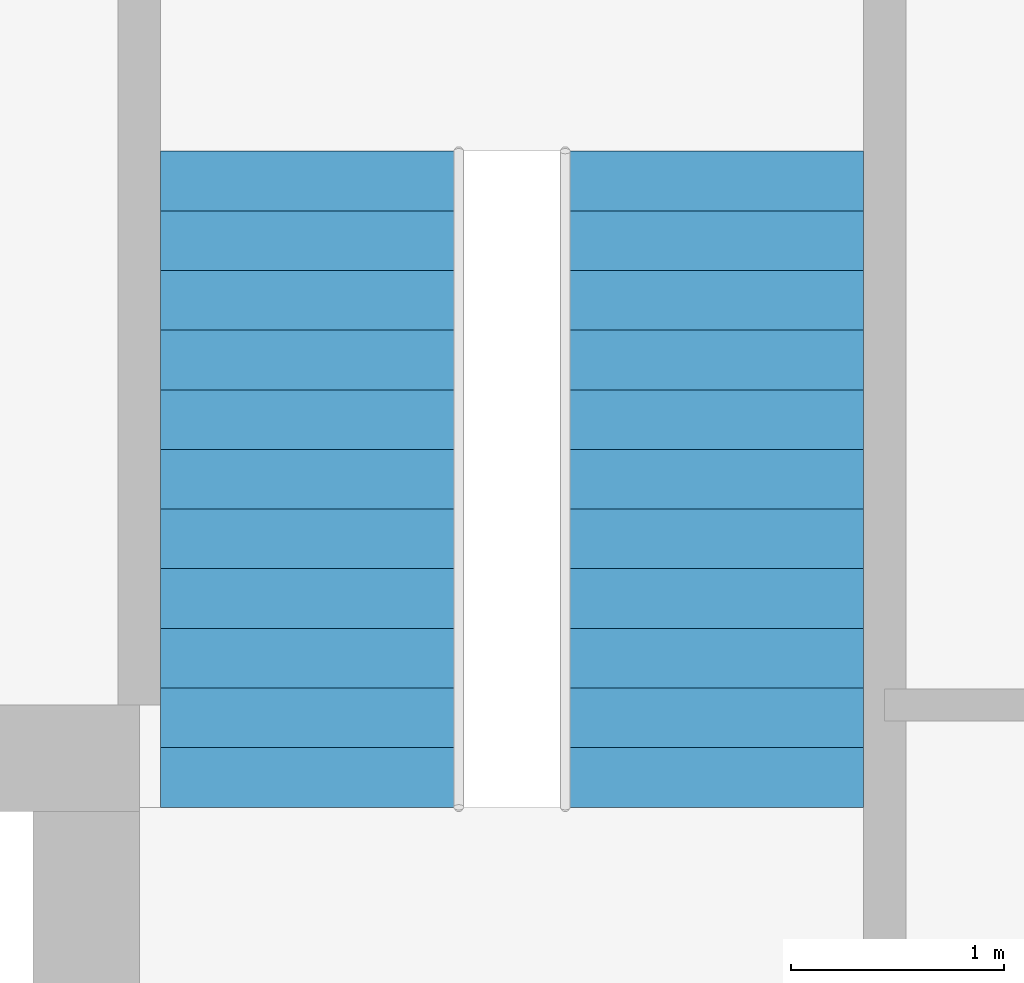
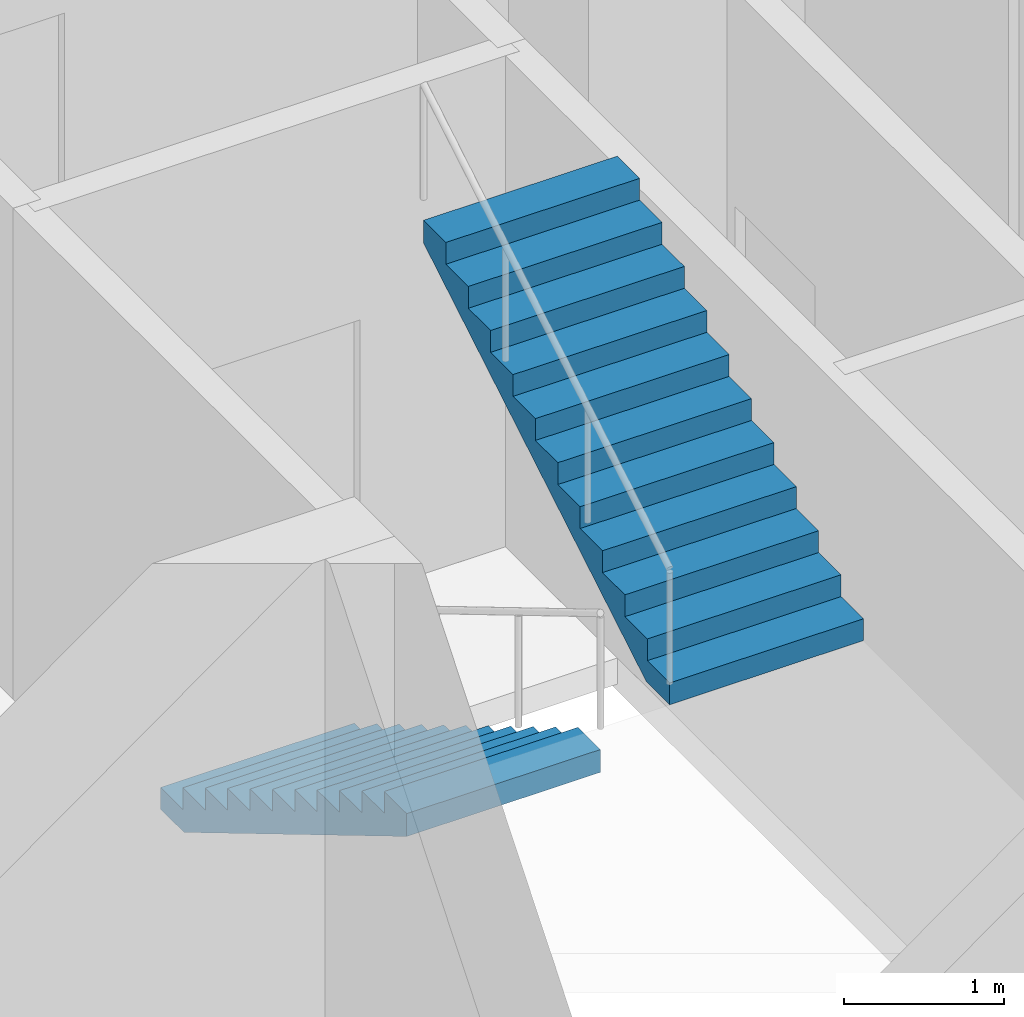
# One storey, part 16 of 21: 2 stair flights, 1 element without a shape of its own.
"""IFC4 building model written with IfcOpenShell, lengths in metres."""

from ifc_helpers import new_model, si_unit, direction, frame, origin, place, context, subcontext, project, spatial, polyline, outline, extrude, material, type_object, element, aggregate, save


model = new_model("IFC4")

# Units and contexts
model_context = context("Model", 3, precision=1e-05, world=origin(), true_north=direction((0.0, 1.0)))
body_context = subcontext(model_context, "Body", "Model", "MODEL_VIEW")
ifc_project = project(units=[si_unit("LENGTHUNIT", "METRE"), si_unit("AREAUNIT", "SQUARE_METRE"), si_unit("VOLUMEUNIT", "CUBIC_METRE"), si_unit("PLANEANGLEUNIT", "RADIAN"), si_unit("MASSUNIT", "GRAM", prefix="KILO")], contexts=[model_context])

# Site, building, storey
site_placement = place(None, origin())
site = spatial("IfcSite", under=ifc_project, at=site_placement, CompositionType="ELEMENT")
building_placement = place(site_placement, origin())
building = spatial("IfcBuilding", under=site, at=building_placement, Name="Malebo Sky Hospital", CompositionType="ELEMENT")
storey_placement = place(building_placement, frame((0.0, 0.0, 140.0)))
storey = spatial("IfcBuildingStorey", under=building, at=storey_placement, Name="L33", CompositionType="ELEMENT", Elevation=140.0)

# Stair, stair flights
ifc_material = material(Name="Concrete C40/50", Category="concrete")
stair_type = type_object("IfcStairType", Name="HALF-TURN STAIR 1400 R167", PredefinedType="HALF_TURN_STAIR", material=ifc_material)
stair_placement = place(storey_placement, origin())
stair = element("IfcStair", 1, at=stair_placement, inside=storey, type_object=stair_type, Name="Stair S3 L33 type ST1B", PredefinedType="HALF_TURN_STAIR")
stair_flight_type = type_object("IfcStairFlightType", Name="STAIR FLIGHT 1400 R167", PredefinedType="STRAIGHT", material=ifc_material)
stair_flight_1_placement = place(storey_placement, frame((69.800048828125, 73.60009765625, 0.0), z_axis=(0.0, 0.0, 1.0), x_axis=(0.0, -1.0, 0.0)))
stair_flight_1 = element("IfcStairFlight", 2, at=stair_flight_1_placement, type_object=stair_flight_type, Name="S3 flight 1 type SF1B", NumberOfRisers=12, NumberOfTreads=11, PredefinedType="STRAIGHT", RiserHeight=0.166666667, TreadLength=0.28, context=body_context, shape_type="SweptSolid", body=[
    extrude(outline(polyline([(0.0, 0.0), (0.0, 0.166748046875), (0.280029296875, 0.166748046875), (0.280029296875, 0.333251953125), (0.56005859375, 0.333251953125), (0.56005859375, 0.5), (0.840087890625, 0.5), (0.840087890625, 0.666748046875), (1.1201171875, 0.666748046875), (1.1201171875, 0.833251953125), (1.39990234375, 0.833251953125), (1.39990234375, 1.0), (1.679931640625, 1.0), (1.679931640625, 1.166748046875), (1.9599609375, 1.166748046875), (1.9599609375, 1.333251953125), (2.239990234375, 1.333251953125), (2.239990234375, 1.5), (2.52001953125, 1.5), (2.52001953125, 1.666748046875), (2.800048828125, 1.666748046875), (2.800048828125, 1.833251953125), (3.080078125, 1.833251953125), (3.080078125, 2.0), (3.080078125, 1.658935546875), (0.29296875, 0.0), (0.0, 0.0)])), frame((0.0, 0.699951171875, 0.0), z_axis=(0.0, -1.0, 0.0), x_axis=(1.0, 0.0, 0.0)), (0.0, 0.0, 1.0), 1.39990234375),
])
stair_flight_2_placement = place(storey_placement, frame((71.699951171875, 70.52001953125, 2.0), z_axis=(0.0, 0.0, 1.0), x_axis=(0.0, 1.0, 0.0)))
stair_flight_2 = element("IfcStairFlight", 3, at=stair_flight_2_placement, type_object=stair_flight_type, Name="S3 flight 2 type SF1B", NumberOfRisers=12, NumberOfTreads=11, PredefinedType="STRAIGHT", RiserHeight=0.166666667, TreadLength=0.28, context=body_context, shape_type="SweptSolid", body=[
    extrude(outline(polyline([(0.0, 0.0), (0.0, 0.166748046875), (0.280029296875, 0.166748046875), (0.280029296875, 0.333251953125), (0.56005859375, 0.333251953125), (0.56005859375, 0.5), (0.840087890625, 0.5), (0.840087890625, 0.666748046875), (1.1201171875, 0.666748046875), (1.1201171875, 0.833251953125), (1.39990234375, 0.833251953125), (1.39990234375, 1.0), (1.679931640625, 1.0), (1.679931640625, 1.166748046875), (1.9599609375, 1.166748046875), (1.9599609375, 1.333251953125), (2.239990234375, 1.333251953125), (2.239990234375, 1.5), (2.52001953125, 1.5), (2.52001953125, 1.666748046875), (2.800048828125, 1.666748046875), (2.800048828125, 1.833251953125), (3.080078125, 1.833251953125), (3.080078125, 2.0), (3.080078125, 1.658935546875), (0.29296875, 0.0), (0.0, 0.0)])), frame((0.0, 0.699951171875, 0.0), z_axis=(0.0, -1.0, 0.0), x_axis=(1.0, 0.0, 0.0)), (0.0, 0.0, 1.0), 1.39990234375),
])
aggregate(stair, [stair_flight_1, stair_flight_2])

save(model, "model.ifc")
